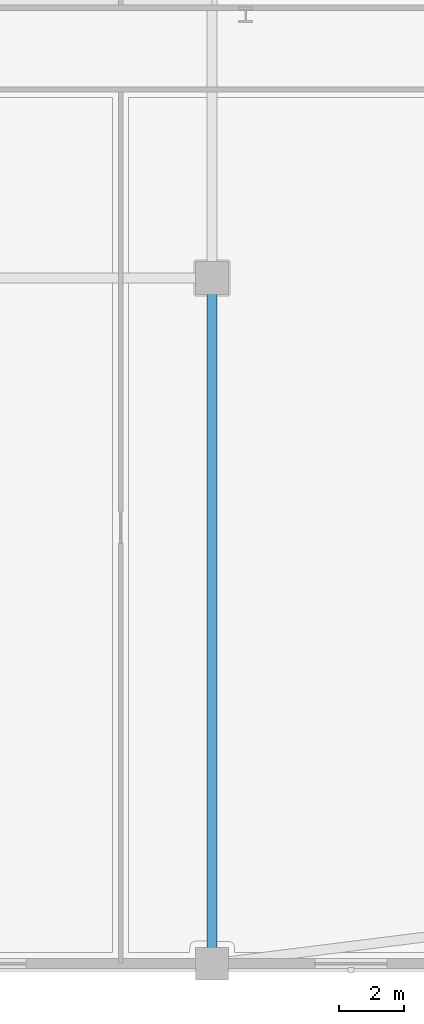
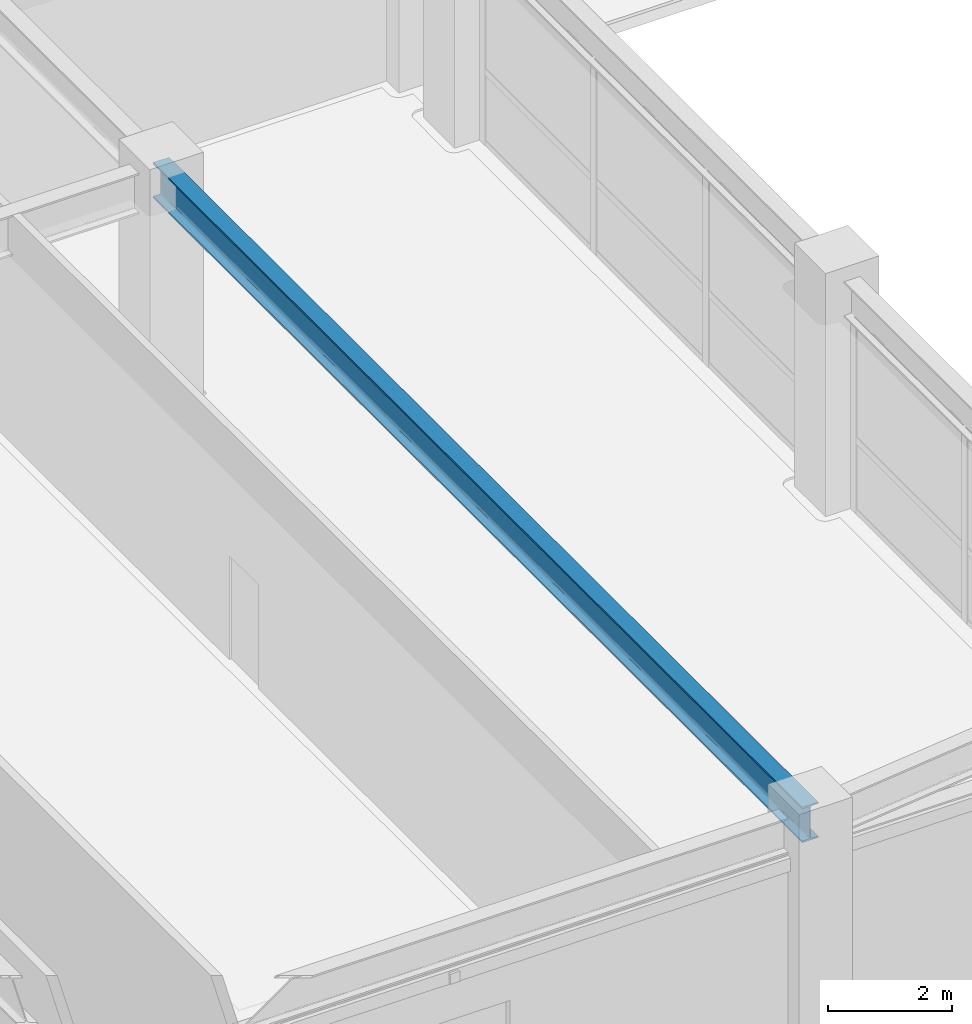
# One storey, part 4 of 34: 1 beam.
"""IFC4 building model written with IfcOpenShell, lengths in metres."""

from ifc_helpers import new_model, si_unit, derived_unit, direction, frame, origin, origin_2d, place, context, subcontext, project, spatial, i_section, extrude, source, transform, mapped, material, material_profile, profile_set, type_object, element, save


model = new_model("IFC4")

# Units and contexts
model_context = context("Model", 3, precision=1e-05, world=origin(), true_north=direction((0.0, 1.0)))
body_context = subcontext(model_context, "Body", "Model", "MODEL_VIEW")
ifc_project = project(units=[si_unit("LENGTHUNIT", "METRE"), si_unit("AREAUNIT", "SQUARE_METRE"), si_unit("VOLUMEUNIT", "CUBIC_METRE"), si_unit("PLANEANGLEUNIT", "RADIAN"), si_unit("MASSUNIT", "GRAM", prefix="KILO"), derived_unit("THERMALTRANSMITTANCEUNIT", [(si_unit("POWERUNIT", "WATT"), 1), (si_unit("LENGTHUNIT", "METRE"), -2), (si_unit("THERMODYNAMICTEMPERATUREUNIT", "KELVIN"), -1)])], contexts=[model_context])

# Site, building, storey
site_placement = place(None, origin())
site = spatial("IfcSite", under=ifc_project, at=site_placement, CompositionType="ELEMENT")
building_placement = place(site_placement, origin())
building = spatial("IfcBuilding", under=site, at=building_placement, Name="Korsvarv Bourse and Concert Hall", CompositionType="ELEMENT")
storey_placement = place(building_placement, frame((0.0, 0.0, 14.39990234375)))
storey = spatial("IfcBuildingStorey", under=building, at=storey_placement, Name="L03", CompositionType="ELEMENT", Elevation=14.39990234375)

# Beam
ifc_material = material(Name="Steel S355", Category="steel")
ifc_material_profile = material_profile(ifc_material, i_section(OverallWidth=0.300048828125, OverallDepth=0.699951171875, WebThickness=0.01708984375, FlangeThickness=0.031982421875, FilletRadius=0.027099609375, at=origin_2d()), Name="HEB 700")
ifc_profile_set = profile_set([ifc_material_profile], Name="Steel S355")
beam_type = type_object("IfcBeamType", Name="BM-HEB700", PredefinedType="BEAM", material=ifc_profile_set)
shared_shape = source(origin(), body_context, "Body", "SweptSolid", [
    extrude(i_section(OverallWidth=0.300048828125, OverallDepth=0.699951171875, WebThickness=0.01708984375, FlangeThickness=0.031982421875, FilletRadius=0.027099609375, at=origin_2d()), origin(), (0.0, 0.0, 1.0), 21.0),
])
beam_placement = place(storey_placement, frame((58.0, 3.0, 4.170166015625), z_axis=(0.0, 1.0, 0.0), x_axis=(-1.0, 0.0, 0.0)))
element("IfcBeam", 1, at=beam_placement, inside=storey, type_object=beam_type, Name="L03 beam B-03", PredefinedType="BEAM", context=body_context, shape_type="MappedRepresentation", body=[
    mapped(shared_shape, transform((0.0, 0.0, 0.0), scale=1.0)),
])

save(model, "model.ifc")
